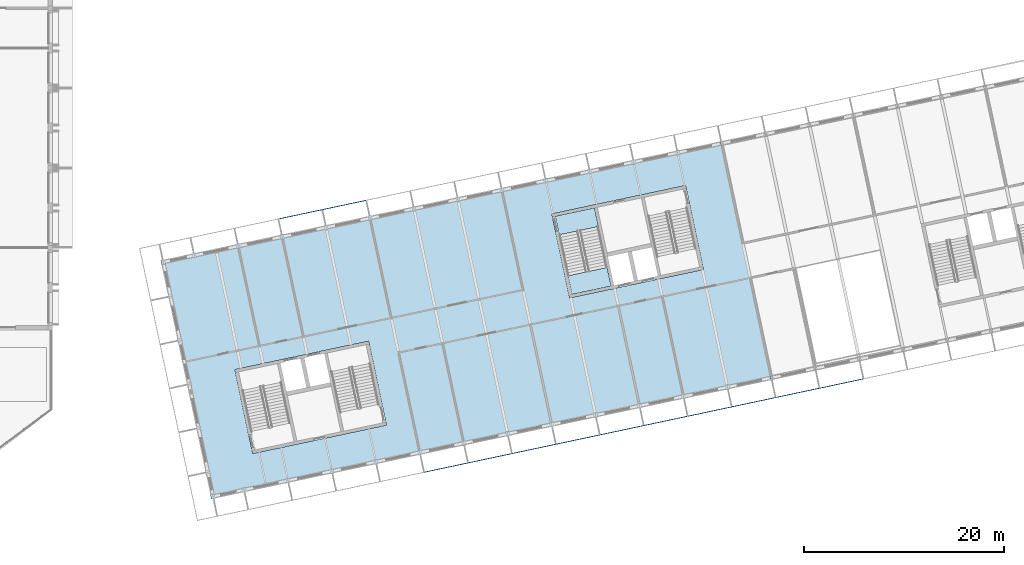
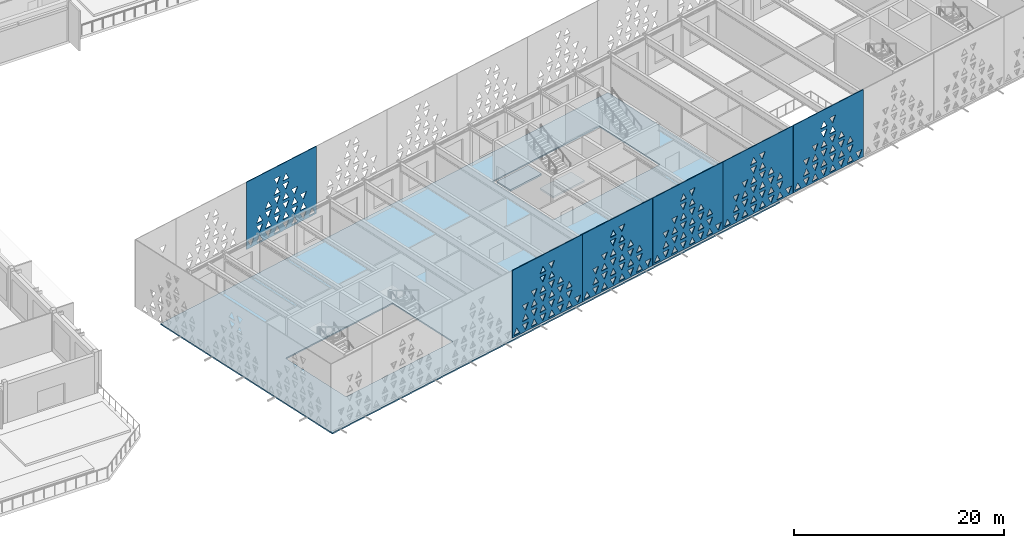
# One storey, part 104 of 196: 6 plates, 3 slabs, 1 element without a shape of its own.
"""IFC4 building model written with IfcOpenShell, lengths in metres."""

from ifc_helpers import new_model, si_unit, direction, frame, origin, place, context, subcontext, project, spatial, polyline, outline, extrude, material, layer, layer_set, type_object, element, aggregate, save


model = new_model("IFC4")

# Units and contexts
model_context = context("Model", 3, precision=1e-05, world=origin(), true_north=direction((0.0, 1.0)))
body_context = subcontext(model_context, "Body", "Model", "MODEL_VIEW")
ifc_project = project(units=[si_unit("LENGTHUNIT", "METRE"), si_unit("AREAUNIT", "SQUARE_METRE"), si_unit("VOLUMEUNIT", "CUBIC_METRE"), si_unit("PLANEANGLEUNIT", "RADIAN"), si_unit("MASSUNIT", "GRAM", prefix="KILO")], contexts=[model_context])

# Site, building, storey
site_placement = place(None, origin())
site = spatial("IfcSite", under=ifc_project, at=site_placement, CompositionType="ELEMENT")
building_placement = place(site_placement, origin())
building = spatial("IfcBuilding", under=site, at=building_placement, Name="Okhra Congress Centre", CompositionType="ELEMENT")
storey_placement = place(building_placement, frame((0.0, 0.0, 12.0)))
storey = spatial("IfcBuildingStorey", under=building, at=storey_placement, Name="L02", CompositionType="ELEMENT", Elevation=12.0)

# Slabs
ifc_material_1 = material(Name="Concrete C30/37 on profiled steel deck", Category="concrete")
ifc_layer_1 = layer(ifc_material_1, 0.14990234375)
ifc_layer_set_1 = layer_set([ifc_layer_1], Name="Composite floor deck 150 REI 120 C30/37")
slab_type_1 = type_object("IfcSlabType", Name="Composite floor deck 150 REI 120 C30/37", PredefinedType="FLOOR", material=ifc_layer_set_1)
slab_1_placement = place(storey_placement, frame((0.0, 0.0, -0.14990234375)))
element("IfcSlab", 1, at=slab_1_placement, inside=storey, type_object=slab_type_1, Name="Floor slab L02 bay 1", PredefinedType="FLOOR", context=body_context, shape_type="SweptSolid", body=[
    extrude(outline(polyline([(57.05029296875, 50.733642578125), (62.1337890625, 26.81787109375), (118.23046875, 38.74169921875), (113.14697265625, 62.6572265625), (57.05029296875, 50.733642578125)]), holes=[polyline([(66.27587890625, 31.378662109375), (79.676513671875, 34.22705078125), (77.888671875, 42.63916015625), (64.488037109375, 39.790771484375), (66.27587890625, 31.378662109375)]), polyline([(96.239990234375, 55.383056640625), (98.028076171875, 46.97119140625), (111.4287109375, 49.819580078125), (109.640625, 58.2314453125), (96.239990234375, 55.383056640625)])]), origin(), (0.0, 0.0, 1.0), 0.14990234375),
])
ifc_material_2 = material(Name="Concrete C30/37", Category="concrete")
ifc_layer_2 = layer(ifc_material_2, 0.199951171875)
ifc_layer_set_2 = layer_set([ifc_layer_2], Name="RC floor slab 200 REI 120 C30/37")
slab_type_2 = type_object("IfcSlabType", Name="RC floor slab 200 REI 120 C30/37", PredefinedType="FLOOR", material=ifc_layer_set_2)
slab_2_placement = place(storey_placement, frame((0.0, 0.0, -0.199951171875)))
element("IfcSlab", 2, at=slab_2_placement, inside=storey, type_object=slab_type_2, Name="Stair floor landing 2A L02", PredefinedType="FLOOR", context=body_context, shape_type="SweptSolid", body=[
    extrude(outline(polyline([(96.58984375, 55.156005859375), (100.51220703125, 55.98974609375), (100.909423828125, 54.121337890625), (96.987060546875, 53.28759765625), (96.58984375, 55.156005859375)])), origin(), (0.0, 0.0, 1.0), 0.199951171875),
])

# Stair, slab
stair_type = type_object("IfcStairType", Name="Escape stair 1900 wide, 30 risers of 160.0", PredefinedType="HALF_TURN_STAIR", material=ifc_material_2)
stair_placement = place(storey_placement, origin())
stair = element("IfcStair", 3, at=stair_placement, inside=storey, type_object=stair_type, Name="L02 Escape stair 2A", PredefinedType="HALF_TURN_STAIR")
ifc_layer_3 = layer(ifc_material_2, 0.199951171875)
ifc_layer_set_3 = layer_set([ifc_layer_3], Name="RC stair landing 200 C30/37")
slab_type_3 = type_object("IfcSlabType", Name="RC stair landing 200 C30/37", PredefinedType="LANDING", material=ifc_layer_set_3)
slab_3_placement = place(storey_placement, frame((0.0, 0.0, 2.199951171875)))
slab_3 = element("IfcSlab", 4, at=slab_3_placement, type_object=slab_type_3, Name="BS2A landing 1", PredefinedType="LANDING", context=body_context, shape_type="SweptSolid", body=[
    extrude(outline(polyline([(97.858154296875, 49.189208984375), (101.780517578125, 50.02294921875), (102.177490234375, 48.15478515625), (98.255126953125, 47.321044921875), (97.858154296875, 49.189208984375)])), origin(), (0.0, 0.0, 1.0), 0.199951171875),
])
aggregate(stair, [slab_3])

# Plates
ifc_material_3 = material(Name="Fired clay terracotta rainscreen panel, deep oxide-red glaze, non-combustible", Category="masonry")
ifc_layer_4 = layer(ifc_material_3, 0.080078125)
ifc_layer_set_4 = layer_set([ifc_layer_4], Name="Terracotta screen panel 8980x7840")
plate_type = type_object("IfcPlateType", Name="Terracotta screen panel 8980x7840", PredefinedType="SHEET", material=ifc_layer_set_4)
plate_1_placement = place(storey_placement, frame((83.4501953125, 29.508544921875, 1.949951171875), z_axis=(0.0, 0.0, 1.0), x_axis=(0.978144061878, 0.207928339131, 0.0)))
element("IfcPlate", 5, at=plate_1_placement, inside=storey, type_object=plate_type, Name="Screen panel S4 Tier 2", PredefinedType="SHEET", context=body_context, shape_type="SweptSolid", body=[
    extrude(outline(polyline([(0.0, 0.0), (8.97998046875, 0.0), (8.97998046875, 7.840087890625), (0.0, 7.840087890625), (0.0, 0.0)]), holes=[polyline([(0.176513671875, 0.183837890625), (0.943603515625, 0.183837890625), (0.56005859375, 0.93603515625), (0.176513671875, 0.183837890625)]), polyline([(1.29638671875, 0.93603515625), (1.679931640625, 0.183837890625), (2.0634765625, 0.93603515625), (1.29638671875, 0.93603515625)]), polyline([(2.41650390625, 0.183837890625), (3.18359375, 0.183837890625), (2.800048828125, 0.93603515625), (2.41650390625, 0.183837890625)]), polyline([(3.536376953125, 0.93603515625), (3.919921875, 0.183837890625), (4.3037109375, 0.93603515625), (3.536376953125, 0.93603515625)]), polyline([(4.656494140625, 0.183837890625), (5.423583984375, 0.183837890625), (5.0400390625, 0.93603515625), (4.656494140625, 0.183837890625)]), polyline([(5.7763671875, 0.93603515625), (6.159912109375, 0.183837890625), (6.543701171875, 0.93603515625), (5.7763671875, 0.93603515625)]), polyline([(6.896484375, 0.183837890625), (7.66357421875, 0.183837890625), (7.280029296875, 0.93603515625), (6.896484375, 0.183837890625)]), polyline([(8.016357421875, 0.93603515625), (8.39990234375, 0.183837890625), (8.78369140625, 0.93603515625), (8.016357421875, 0.93603515625)]), polyline([(1.29638671875, 1.303955078125), (2.0634765625, 1.303955078125), (1.679931640625, 2.05615234375), (1.29638671875, 1.303955078125)]), polyline([(2.41650390625, 2.05615234375), (2.800048828125, 1.303955078125), (3.18359375, 2.05615234375), (2.41650390625, 2.05615234375)]), polyline([(3.536376953125, 1.303955078125), (4.3037109375, 1.303955078125), (3.919921875, 2.05615234375), (3.536376953125, 1.303955078125)]), polyline([(4.656494140625, 2.05615234375), (5.0400390625, 1.303955078125), (5.423583984375, 2.05615234375), (4.656494140625, 2.05615234375)]), polyline([(5.7763671875, 1.303955078125), (6.543701171875, 1.303955078125), (6.159912109375, 2.05615234375), (5.7763671875, 1.303955078125)]), polyline([(6.896484375, 2.05615234375), (7.280029296875, 1.303955078125), (7.66357421875, 2.05615234375), (6.896484375, 2.05615234375)]), polyline([(1.29638671875, 3.176025390625), (1.679931640625, 2.423828125), (2.0634765625, 3.176025390625), (1.29638671875, 3.176025390625)]), polyline([(2.41650390625, 2.423828125), (3.18359375, 2.423828125), (2.800048828125, 3.176025390625), (2.41650390625, 2.423828125)]), polyline([(3.536376953125, 3.176025390625), (3.919921875, 2.423828125), (4.3037109375, 3.176025390625), (3.536376953125, 3.176025390625)]), polyline([(4.656494140625, 2.423828125), (5.423583984375, 2.423828125), (5.0400390625, 3.176025390625), (4.656494140625, 2.423828125)]), polyline([(5.7763671875, 3.176025390625), (6.159912109375, 2.423828125), (6.543701171875, 3.176025390625), (5.7763671875, 3.176025390625)]), polyline([(6.896484375, 2.423828125), (7.66357421875, 2.423828125), (7.280029296875, 3.176025390625), (6.896484375, 2.423828125)]), polyline([(2.41650390625, 4.296142578125), (2.800048828125, 3.5439453125), (3.18359375, 4.296142578125), (2.41650390625, 4.296142578125)]), polyline([(3.536376953125, 3.5439453125), (4.3037109375, 3.5439453125), (3.919921875, 4.296142578125), (3.536376953125, 3.5439453125)]), polyline([(4.656494140625, 4.296142578125), (5.0400390625, 3.5439453125), (5.423583984375, 4.296142578125), (4.656494140625, 4.296142578125)]), polyline([(5.7763671875, 3.5439453125), (6.543701171875, 3.5439453125), (6.159912109375, 4.296142578125), (5.7763671875, 3.5439453125)]), polyline([(3.536376953125, 5.416015625), (3.919921875, 4.663818359375), (4.3037109375, 5.416015625), (3.536376953125, 5.416015625)]), polyline([(4.656494140625, 4.663818359375), (5.423583984375, 4.663818359375), (5.0400390625, 5.416015625), (4.656494140625, 4.663818359375)]), polyline([(3.536376953125, 5.783935546875), (4.3037109375, 5.783935546875), (3.919921875, 6.5361328125), (3.536376953125, 5.783935546875)]), polyline([(4.656494140625, 6.5361328125), (5.0400390625, 5.783935546875), (5.423583984375, 6.5361328125), (4.656494140625, 6.5361328125)])]), frame((0.0, 0.0400390625, 0.0), z_axis=(0.0, -1.0, 0.0), x_axis=(1.0, 0.0, 0.0)), (0.0, 0.0, 1.0), 0.080078125),
])
plate_2_placement = place(storey_placement, frame((92.25341796875, 31.3798828125, 1.949951171875), z_axis=(0.0, 0.0, 1.0), x_axis=(0.978149591018, 0.207902327047, 0.0)))
element("IfcPlate", 6, at=plate_2_placement, inside=storey, type_object=plate_type, Name="Screen panel S5 Tier 2", PredefinedType="SHEET", context=body_context, shape_type="SweptSolid", body=[
    extrude(outline(polyline([(0.0, 0.0), (8.97998046875, 0.0), (8.97998046875, 7.840087890625), (0.0, 7.840087890625), (0.0, 0.0)]), holes=[polyline([(0.176513671875, 0.183837890625), (0.943603515625, 0.183837890625), (0.56005859375, 0.93603515625), (0.176513671875, 0.183837890625)]), polyline([(1.29638671875, 0.93603515625), (1.679931640625, 0.183837890625), (2.0634765625, 0.93603515625), (1.29638671875, 0.93603515625)]), polyline([(2.41650390625, 0.183837890625), (3.18359375, 0.183837890625), (2.800048828125, 0.93603515625), (2.41650390625, 0.183837890625)]), polyline([(3.536376953125, 0.93603515625), (3.919921875, 0.183837890625), (4.3037109375, 0.93603515625), (3.536376953125, 0.93603515625)]), polyline([(4.656494140625, 0.183837890625), (5.423583984375, 0.183837890625), (5.0400390625, 0.93603515625), (4.656494140625, 0.183837890625)]), polyline([(5.7763671875, 0.93603515625), (6.159912109375, 0.183837890625), (6.543701171875, 0.93603515625), (5.7763671875, 0.93603515625)]), polyline([(6.896484375, 0.183837890625), (7.66357421875, 0.183837890625), (7.280029296875, 0.93603515625), (6.896484375, 0.183837890625)]), polyline([(8.016357421875, 0.93603515625), (8.39990234375, 0.183837890625), (8.78369140625, 0.93603515625), (8.016357421875, 0.93603515625)]), polyline([(1.29638671875, 1.303955078125), (2.0634765625, 1.303955078125), (1.679931640625, 2.05615234375), (1.29638671875, 1.303955078125)]), polyline([(2.41650390625, 2.05615234375), (2.800048828125, 1.303955078125), (3.18359375, 2.05615234375), (2.41650390625, 2.05615234375)]), polyline([(3.536376953125, 1.303955078125), (4.3037109375, 1.303955078125), (3.919921875, 2.05615234375), (3.536376953125, 1.303955078125)]), polyline([(4.656494140625, 2.05615234375), (5.0400390625, 1.303955078125), (5.423583984375, 2.05615234375), (4.656494140625, 2.05615234375)]), polyline([(5.7763671875, 1.303955078125), (6.543701171875, 1.303955078125), (6.159912109375, 2.05615234375), (5.7763671875, 1.303955078125)]), polyline([(6.896484375, 2.05615234375), (7.280029296875, 1.303955078125), (7.66357421875, 2.05615234375), (6.896484375, 2.05615234375)]), polyline([(1.29638671875, 3.176025390625), (1.679931640625, 2.423828125), (2.0634765625, 3.176025390625), (1.29638671875, 3.176025390625)]), polyline([(2.41650390625, 2.423828125), (3.18359375, 2.423828125), (2.800048828125, 3.176025390625), (2.41650390625, 2.423828125)]), polyline([(3.536376953125, 3.176025390625), (3.919921875, 2.423828125), (4.3037109375, 3.176025390625), (3.536376953125, 3.176025390625)]), polyline([(4.656494140625, 2.423828125), (5.423583984375, 2.423828125), (5.0400390625, 3.176025390625), (4.656494140625, 2.423828125)]), polyline([(5.7763671875, 3.176025390625), (6.159912109375, 2.423828125), (6.543701171875, 3.176025390625), (5.7763671875, 3.176025390625)]), polyline([(6.896484375, 2.423828125), (7.66357421875, 2.423828125), (7.280029296875, 3.176025390625), (6.896484375, 2.423828125)]), polyline([(2.41650390625, 4.296142578125), (2.800048828125, 3.5439453125), (3.18359375, 4.296142578125), (2.41650390625, 4.296142578125)]), polyline([(3.536376953125, 3.5439453125), (4.3037109375, 3.5439453125), (3.919921875, 4.296142578125), (3.536376953125, 3.5439453125)]), polyline([(4.656494140625, 4.296142578125), (5.0400390625, 3.5439453125), (5.423583984375, 4.296142578125), (4.656494140625, 4.296142578125)]), polyline([(5.7763671875, 3.5439453125), (6.543701171875, 3.5439453125), (6.159912109375, 4.296142578125), (5.7763671875, 3.5439453125)]), polyline([(3.536376953125, 5.416015625), (3.919921875, 4.663818359375), (4.3037109375, 5.416015625), (3.536376953125, 5.416015625)]), polyline([(4.656494140625, 4.663818359375), (5.423583984375, 4.663818359375), (5.0400390625, 5.416015625), (4.656494140625, 4.663818359375)]), polyline([(3.536376953125, 5.783935546875), (4.3037109375, 5.783935546875), (3.919921875, 6.5361328125), (3.536376953125, 5.783935546875)]), polyline([(4.656494140625, 6.5361328125), (5.0400390625, 5.783935546875), (5.423583984375, 6.5361328125), (4.656494140625, 6.5361328125)])]), frame((0.0, 0.0400390625, 0.0), z_axis=(0.0, -1.0, 0.0), x_axis=(1.0, 0.0, 0.0)), (0.0, 0.0, 1.0), 0.080078125),
])
plate_3_placement = place(storey_placement, frame((101.056884765625, 33.2509765625, 1.949951171875), z_axis=(0.0, 0.0, 1.0), x_axis=(0.978149591018, 0.207902327047, 0.0)))
element("IfcPlate", 7, at=plate_3_placement, inside=storey, type_object=plate_type, Name="Screen panel S6 Tier 2", PredefinedType="SHEET", context=body_context, shape_type="SweptSolid", body=[
    extrude(outline(polyline([(0.0, 0.0), (8.97998046875, 0.0), (8.97998046875, 7.840087890625), (0.0, 7.840087890625), (0.0, 0.0)]), holes=[polyline([(0.176513671875, 0.183837890625), (0.943603515625, 0.183837890625), (0.56005859375, 0.93603515625), (0.176513671875, 0.183837890625)]), polyline([(1.29638671875, 0.93603515625), (1.679931640625, 0.183837890625), (2.0634765625, 0.93603515625), (1.29638671875, 0.93603515625)]), polyline([(2.41650390625, 0.183837890625), (3.18359375, 0.183837890625), (2.800048828125, 0.93603515625), (2.41650390625, 0.183837890625)]), polyline([(3.536376953125, 0.93603515625), (3.919921875, 0.183837890625), (4.3037109375, 0.93603515625), (3.536376953125, 0.93603515625)]), polyline([(4.656494140625, 0.183837890625), (5.423583984375, 0.183837890625), (5.0400390625, 0.93603515625), (4.656494140625, 0.183837890625)]), polyline([(5.7763671875, 0.93603515625), (6.159912109375, 0.183837890625), (6.543701171875, 0.93603515625), (5.7763671875, 0.93603515625)]), polyline([(6.896484375, 0.183837890625), (7.66357421875, 0.183837890625), (7.280029296875, 0.93603515625), (6.896484375, 0.183837890625)]), polyline([(8.016357421875, 0.93603515625), (8.39990234375, 0.183837890625), (8.78369140625, 0.93603515625), (8.016357421875, 0.93603515625)]), polyline([(1.29638671875, 1.303955078125), (2.0634765625, 1.303955078125), (1.679931640625, 2.05615234375), (1.29638671875, 1.303955078125)]), polyline([(2.41650390625, 2.05615234375), (2.800048828125, 1.303955078125), (3.18359375, 2.05615234375), (2.41650390625, 2.05615234375)]), polyline([(3.536376953125, 1.303955078125), (4.3037109375, 1.303955078125), (3.919921875, 2.05615234375), (3.536376953125, 1.303955078125)]), polyline([(4.656494140625, 2.05615234375), (5.0400390625, 1.303955078125), (5.423583984375, 2.05615234375), (4.656494140625, 2.05615234375)]), polyline([(5.7763671875, 1.303955078125), (6.543701171875, 1.303955078125), (6.159912109375, 2.05615234375), (5.7763671875, 1.303955078125)]), polyline([(6.896484375, 2.05615234375), (7.280029296875, 1.303955078125), (7.66357421875, 2.05615234375), (6.896484375, 2.05615234375)]), polyline([(1.29638671875, 3.176025390625), (1.679931640625, 2.423828125), (2.0634765625, 3.176025390625), (1.29638671875, 3.176025390625)]), polyline([(2.41650390625, 2.423828125), (3.18359375, 2.423828125), (2.800048828125, 3.176025390625), (2.41650390625, 2.423828125)]), polyline([(3.536376953125, 3.176025390625), (3.919921875, 2.423828125), (4.3037109375, 3.176025390625), (3.536376953125, 3.176025390625)]), polyline([(4.656494140625, 2.423828125), (5.423583984375, 2.423828125), (5.0400390625, 3.176025390625), (4.656494140625, 2.423828125)]), polyline([(5.7763671875, 3.176025390625), (6.159912109375, 2.423828125), (6.543701171875, 3.176025390625), (5.7763671875, 3.176025390625)]), polyline([(6.896484375, 2.423828125), (7.66357421875, 2.423828125), (7.280029296875, 3.176025390625), (6.896484375, 2.423828125)]), polyline([(2.41650390625, 4.296142578125), (2.800048828125, 3.5439453125), (3.18359375, 4.296142578125), (2.41650390625, 4.296142578125)]), polyline([(3.536376953125, 3.5439453125), (4.3037109375, 3.5439453125), (3.919921875, 4.296142578125), (3.536376953125, 3.5439453125)]), polyline([(4.656494140625, 4.296142578125), (5.0400390625, 3.5439453125), (5.423583984375, 4.296142578125), (4.656494140625, 4.296142578125)]), polyline([(5.7763671875, 3.5439453125), (6.543701171875, 3.5439453125), (6.159912109375, 4.296142578125), (5.7763671875, 3.5439453125)]), polyline([(3.536376953125, 5.416015625), (3.919921875, 4.663818359375), (4.3037109375, 5.416015625), (3.536376953125, 5.416015625)]), polyline([(4.656494140625, 4.663818359375), (5.423583984375, 4.663818359375), (5.0400390625, 5.416015625), (4.656494140625, 4.663818359375)]), polyline([(3.536376953125, 5.783935546875), (4.3037109375, 5.783935546875), (3.919921875, 6.5361328125), (3.536376953125, 5.783935546875)]), polyline([(4.656494140625, 6.5361328125), (5.0400390625, 5.783935546875), (5.423583984375, 6.5361328125), (4.656494140625, 6.5361328125)])]), frame((0.0, 0.0400390625, 0.0), z_axis=(0.0, -1.0, 0.0), x_axis=(1.0, 0.0, 0.0)), (0.0, 0.0, 1.0), 0.080078125),
])
plate_4_placement = place(storey_placement, frame((109.860107421875, 35.122314453125, 1.949951171875), z_axis=(0.0, 0.0, 1.0), x_axis=(0.978149591018, 0.207902327047, 0.0)))
element("IfcPlate", 8, at=plate_4_placement, inside=storey, type_object=plate_type, Name="Screen panel S7 Tier 2", PredefinedType="SHEET", context=body_context, shape_type="SweptSolid", body=[
    extrude(outline(polyline([(0.0, 0.0), (8.97998046875, 0.0), (8.97998046875, 7.840087890625), (0.0, 7.840087890625), (0.0, 0.0)]), holes=[polyline([(0.176513671875, 0.183837890625), (0.943603515625, 0.183837890625), (0.56005859375, 0.93603515625), (0.176513671875, 0.183837890625)]), polyline([(1.29638671875, 0.93603515625), (1.679931640625, 0.183837890625), (2.0634765625, 0.93603515625), (1.29638671875, 0.93603515625)]), polyline([(2.41650390625, 0.183837890625), (3.18359375, 0.183837890625), (2.800048828125, 0.93603515625), (2.41650390625, 0.183837890625)]), polyline([(3.536376953125, 0.93603515625), (3.919921875, 0.183837890625), (4.3037109375, 0.93603515625), (3.536376953125, 0.93603515625)]), polyline([(4.656494140625, 0.183837890625), (5.423583984375, 0.183837890625), (5.0400390625, 0.93603515625), (4.656494140625, 0.183837890625)]), polyline([(5.7763671875, 0.93603515625), (6.159912109375, 0.183837890625), (6.543701171875, 0.93603515625), (5.7763671875, 0.93603515625)]), polyline([(6.896484375, 0.183837890625), (7.66357421875, 0.183837890625), (7.280029296875, 0.93603515625), (6.896484375, 0.183837890625)]), polyline([(8.016357421875, 0.93603515625), (8.39990234375, 0.183837890625), (8.78369140625, 0.93603515625), (8.016357421875, 0.93603515625)]), polyline([(1.29638671875, 1.303955078125), (2.0634765625, 1.303955078125), (1.679931640625, 2.05615234375), (1.29638671875, 1.303955078125)]), polyline([(2.41650390625, 2.05615234375), (2.800048828125, 1.303955078125), (3.18359375, 2.05615234375), (2.41650390625, 2.05615234375)]), polyline([(3.536376953125, 1.303955078125), (4.3037109375, 1.303955078125), (3.919921875, 2.05615234375), (3.536376953125, 1.303955078125)]), polyline([(4.656494140625, 2.05615234375), (5.0400390625, 1.303955078125), (5.423583984375, 2.05615234375), (4.656494140625, 2.05615234375)]), polyline([(5.7763671875, 1.303955078125), (6.543701171875, 1.303955078125), (6.159912109375, 2.05615234375), (5.7763671875, 1.303955078125)]), polyline([(6.896484375, 2.05615234375), (7.280029296875, 1.303955078125), (7.66357421875, 2.05615234375), (6.896484375, 2.05615234375)]), polyline([(1.29638671875, 3.176025390625), (1.679931640625, 2.423828125), (2.0634765625, 3.176025390625), (1.29638671875, 3.176025390625)]), polyline([(2.41650390625, 2.423828125), (3.18359375, 2.423828125), (2.800048828125, 3.176025390625), (2.41650390625, 2.423828125)]), polyline([(3.536376953125, 3.176025390625), (3.919921875, 2.423828125), (4.3037109375, 3.176025390625), (3.536376953125, 3.176025390625)]), polyline([(4.656494140625, 2.423828125), (5.423583984375, 2.423828125), (5.0400390625, 3.176025390625), (4.656494140625, 2.423828125)]), polyline([(5.7763671875, 3.176025390625), (6.159912109375, 2.423828125), (6.543701171875, 3.176025390625), (5.7763671875, 3.176025390625)]), polyline([(6.896484375, 2.423828125), (7.66357421875, 2.423828125), (7.280029296875, 3.176025390625), (6.896484375, 2.423828125)]), polyline([(2.41650390625, 4.296142578125), (2.800048828125, 3.5439453125), (3.18359375, 4.296142578125), (2.41650390625, 4.296142578125)]), polyline([(3.536376953125, 3.5439453125), (4.3037109375, 3.5439453125), (3.919921875, 4.296142578125), (3.536376953125, 3.5439453125)]), polyline([(4.656494140625, 4.296142578125), (5.0400390625, 3.5439453125), (5.423583984375, 4.296142578125), (4.656494140625, 4.296142578125)]), polyline([(5.7763671875, 3.5439453125), (6.543701171875, 3.5439453125), (6.159912109375, 4.296142578125), (5.7763671875, 3.5439453125)]), polyline([(3.536376953125, 5.416015625), (3.919921875, 4.663818359375), (4.3037109375, 5.416015625), (3.536376953125, 5.416015625)]), polyline([(4.656494140625, 4.663818359375), (5.423583984375, 4.663818359375), (5.0400390625, 5.416015625), (4.656494140625, 4.663818359375)]), polyline([(3.536376953125, 5.783935546875), (4.3037109375, 5.783935546875), (3.919921875, 6.5361328125), (3.536376953125, 5.783935546875)]), polyline([(4.656494140625, 6.5361328125), (5.0400390625, 5.783935546875), (5.423583984375, 6.5361328125), (4.656494140625, 6.5361328125)])]), frame((0.0, 0.0400390625, 0.0), z_axis=(0.0, -1.0, 0.0), x_axis=(1.0, 0.0, 0.0)), (0.0, 0.0, 1.0), 0.080078125),
])
plate_5_placement = place(storey_placement, frame((118.663330078125, 36.993408203125, 1.949951171875), z_axis=(0.0, 0.0, 1.0), x_axis=(0.978150766104, 0.207896798366, 0.0)))
element("IfcPlate", 9, at=plate_5_placement, inside=storey, type_object=plate_type, Name="Screen panel S8 Tier 2", PredefinedType="SHEET", context=body_context, shape_type="SweptSolid", body=[
    extrude(outline(polyline([(0.0, 0.0), (8.980224609375, 0.0), (8.980224609375, 7.840087890625), (0.0, 7.840087890625), (0.0, 0.0)]), holes=[polyline([(0.176513671875, 0.183837890625), (0.943603515625, 0.183837890625), (0.56005859375, 0.93603515625), (0.176513671875, 0.183837890625)]), polyline([(1.29638671875, 0.93603515625), (1.679931640625, 0.183837890625), (2.0634765625, 0.93603515625), (1.29638671875, 0.93603515625)]), polyline([(2.41650390625, 0.183837890625), (3.18359375, 0.183837890625), (2.800048828125, 0.93603515625), (2.41650390625, 0.183837890625)]), polyline([(3.536376953125, 0.93603515625), (3.919921875, 0.183837890625), (4.3037109375, 0.93603515625), (3.536376953125, 0.93603515625)]), polyline([(4.656494140625, 0.183837890625), (5.423583984375, 0.183837890625), (5.0400390625, 0.93603515625), (4.656494140625, 0.183837890625)]), polyline([(5.7763671875, 0.93603515625), (6.159912109375, 0.183837890625), (6.543701171875, 0.93603515625), (5.7763671875, 0.93603515625)]), polyline([(6.896484375, 0.183837890625), (7.66357421875, 0.183837890625), (7.280029296875, 0.93603515625), (6.896484375, 0.183837890625)]), polyline([(8.016357421875, 0.93603515625), (8.39990234375, 0.183837890625), (8.78369140625, 0.93603515625), (8.016357421875, 0.93603515625)]), polyline([(1.29638671875, 1.303955078125), (2.0634765625, 1.303955078125), (1.679931640625, 2.05615234375), (1.29638671875, 1.303955078125)]), polyline([(2.41650390625, 2.05615234375), (2.800048828125, 1.303955078125), (3.18359375, 2.05615234375), (2.41650390625, 2.05615234375)]), polyline([(3.536376953125, 1.303955078125), (4.3037109375, 1.303955078125), (3.919921875, 2.05615234375), (3.536376953125, 1.303955078125)]), polyline([(4.656494140625, 2.05615234375), (5.0400390625, 1.303955078125), (5.423583984375, 2.05615234375), (4.656494140625, 2.05615234375)]), polyline([(5.7763671875, 1.303955078125), (6.543701171875, 1.303955078125), (6.159912109375, 2.05615234375), (5.7763671875, 1.303955078125)]), polyline([(6.896484375, 2.05615234375), (7.280029296875, 1.303955078125), (7.66357421875, 2.05615234375), (6.896484375, 2.05615234375)]), polyline([(1.29638671875, 3.176025390625), (1.679931640625, 2.423828125), (2.0634765625, 3.176025390625), (1.29638671875, 3.176025390625)]), polyline([(2.41650390625, 2.423828125), (3.18359375, 2.423828125), (2.800048828125, 3.176025390625), (2.41650390625, 2.423828125)]), polyline([(3.536376953125, 3.176025390625), (3.919921875, 2.423828125), (4.3037109375, 3.176025390625), (3.536376953125, 3.176025390625)]), polyline([(4.656494140625, 2.423828125), (5.423583984375, 2.423828125), (5.0400390625, 3.176025390625), (4.656494140625, 2.423828125)]), polyline([(5.7763671875, 3.176025390625), (6.159912109375, 2.423828125), (6.543701171875, 3.176025390625), (5.7763671875, 3.176025390625)]), polyline([(6.896484375, 2.423828125), (7.66357421875, 2.423828125), (7.280029296875, 3.176025390625), (6.896484375, 2.423828125)]), polyline([(2.41650390625, 4.296142578125), (2.800048828125, 3.5439453125), (3.18359375, 4.296142578125), (2.41650390625, 4.296142578125)]), polyline([(3.536376953125, 3.5439453125), (4.3037109375, 3.5439453125), (3.919921875, 4.296142578125), (3.536376953125, 3.5439453125)]), polyline([(4.656494140625, 4.296142578125), (5.0400390625, 3.5439453125), (5.423583984375, 4.296142578125), (4.656494140625, 4.296142578125)]), polyline([(5.7763671875, 3.5439453125), (6.543701171875, 3.5439453125), (6.159912109375, 4.296142578125), (5.7763671875, 3.5439453125)]), polyline([(3.536376953125, 5.416015625), (3.919921875, 4.663818359375), (4.3037109375, 5.416015625), (3.536376953125, 5.416015625)]), polyline([(4.656494140625, 4.663818359375), (5.423583984375, 4.663818359375), (5.0400390625, 5.416015625), (4.656494140625, 4.663818359375)]), polyline([(3.536376953125, 5.783935546875), (4.3037109375, 5.783935546875), (3.919921875, 6.5361328125), (3.536376953125, 5.783935546875)]), polyline([(4.656494140625, 6.5361328125), (5.0400390625, 5.783935546875), (5.423583984375, 6.5361328125), (4.656494140625, 6.5361328125)])]), frame((0.0, 0.0400390625, 0.0), z_axis=(0.0, -1.0, 0.0), x_axis=(1.0, 0.0, 0.0)), (0.0, 0.0, 1.0), 0.080078125),
])
plate_6_placement = place(storey_placement, frame((77.64013671875, 56.745849609375, 1.949951171875), z_axis=(0.0, 0.0, 1.0), x_axis=(-0.978149591018, -0.207902327047, 0.0)))
element("IfcPlate", 10, at=plate_6_placement, inside=storey, type_object=plate_type, Name="Screen panel N17 Tier 2", PredefinedType="SHEET", context=body_context, shape_type="SweptSolid", body=[
    extrude(outline(polyline([(0.0, 0.0), (8.97998046875, 0.0), (8.97998046875, 7.840087890625), (0.0, 7.840087890625), (0.0, 0.0)]), holes=[polyline([(0.176513671875, 0.183837890625), (0.943603515625, 0.183837890625), (0.56005859375, 0.93603515625), (0.176513671875, 0.183837890625)]), polyline([(1.29638671875, 0.93603515625), (1.679931640625, 0.183837890625), (2.0634765625, 0.93603515625), (1.29638671875, 0.93603515625)]), polyline([(2.41650390625, 0.183837890625), (3.18359375, 0.183837890625), (2.800048828125, 0.93603515625), (2.41650390625, 0.183837890625)]), polyline([(3.536376953125, 0.93603515625), (3.919921875, 0.183837890625), (4.3037109375, 0.93603515625), (3.536376953125, 0.93603515625)]), polyline([(4.656494140625, 0.183837890625), (5.423583984375, 0.183837890625), (5.0400390625, 0.93603515625), (4.656494140625, 0.183837890625)]), polyline([(5.7763671875, 0.93603515625), (6.159912109375, 0.183837890625), (6.543701171875, 0.93603515625), (5.7763671875, 0.93603515625)]), polyline([(6.896484375, 0.183837890625), (7.66357421875, 0.183837890625), (7.280029296875, 0.93603515625), (6.896484375, 0.183837890625)]), polyline([(8.016357421875, 0.93603515625), (8.39990234375, 0.183837890625), (8.78369140625, 0.93603515625), (8.016357421875, 0.93603515625)]), polyline([(1.29638671875, 1.303955078125), (2.0634765625, 1.303955078125), (1.679931640625, 2.05615234375), (1.29638671875, 1.303955078125)]), polyline([(2.41650390625, 2.05615234375), (2.800048828125, 1.303955078125), (3.18359375, 2.05615234375), (2.41650390625, 2.05615234375)]), polyline([(3.536376953125, 1.303955078125), (4.3037109375, 1.303955078125), (3.919921875, 2.05615234375), (3.536376953125, 1.303955078125)]), polyline([(4.656494140625, 2.05615234375), (5.0400390625, 1.303955078125), (5.423583984375, 2.05615234375), (4.656494140625, 2.05615234375)]), polyline([(5.7763671875, 1.303955078125), (6.543701171875, 1.303955078125), (6.159912109375, 2.05615234375), (5.7763671875, 1.303955078125)]), polyline([(6.896484375, 2.05615234375), (7.280029296875, 1.303955078125), (7.66357421875, 2.05615234375), (6.896484375, 2.05615234375)]), polyline([(1.29638671875, 3.176025390625), (1.679931640625, 2.423828125), (2.0634765625, 3.176025390625), (1.29638671875, 3.176025390625)]), polyline([(2.41650390625, 2.423828125), (3.18359375, 2.423828125), (2.800048828125, 3.176025390625), (2.41650390625, 2.423828125)]), polyline([(3.536376953125, 3.176025390625), (3.919921875, 2.423828125), (4.3037109375, 3.176025390625), (3.536376953125, 3.176025390625)]), polyline([(4.656494140625, 2.423828125), (5.423583984375, 2.423828125), (5.0400390625, 3.176025390625), (4.656494140625, 2.423828125)]), polyline([(5.7763671875, 3.176025390625), (6.159912109375, 2.423828125), (6.543701171875, 3.176025390625), (5.7763671875, 3.176025390625)]), polyline([(6.896484375, 2.423828125), (7.66357421875, 2.423828125), (7.280029296875, 3.176025390625), (6.896484375, 2.423828125)]), polyline([(2.41650390625, 4.296142578125), (2.800048828125, 3.5439453125), (3.18359375, 4.296142578125), (2.41650390625, 4.296142578125)]), polyline([(3.536376953125, 3.5439453125), (4.3037109375, 3.5439453125), (3.919921875, 4.296142578125), (3.536376953125, 3.5439453125)]), polyline([(4.656494140625, 4.296142578125), (5.0400390625, 3.5439453125), (5.423583984375, 4.296142578125), (4.656494140625, 4.296142578125)]), polyline([(5.7763671875, 3.5439453125), (6.543701171875, 3.5439453125), (6.159912109375, 4.296142578125), (5.7763671875, 3.5439453125)]), polyline([(3.536376953125, 5.416015625), (3.919921875, 4.663818359375), (4.3037109375, 5.416015625), (3.536376953125, 5.416015625)]), polyline([(4.656494140625, 4.663818359375), (5.423583984375, 4.663818359375), (5.0400390625, 5.416015625), (4.656494140625, 4.663818359375)]), polyline([(3.536376953125, 5.783935546875), (4.3037109375, 5.783935546875), (3.919921875, 6.5361328125), (3.536376953125, 5.783935546875)]), polyline([(4.656494140625, 6.5361328125), (5.0400390625, 5.783935546875), (5.423583984375, 6.5361328125), (4.656494140625, 6.5361328125)])]), frame((0.0, 0.0400390625, 0.0), z_axis=(0.0, -1.0, 0.0), x_axis=(1.0, 0.0, 0.0)), (0.0, 0.0, 1.0), 0.080078125),
])

save(model, "model.ifc")
